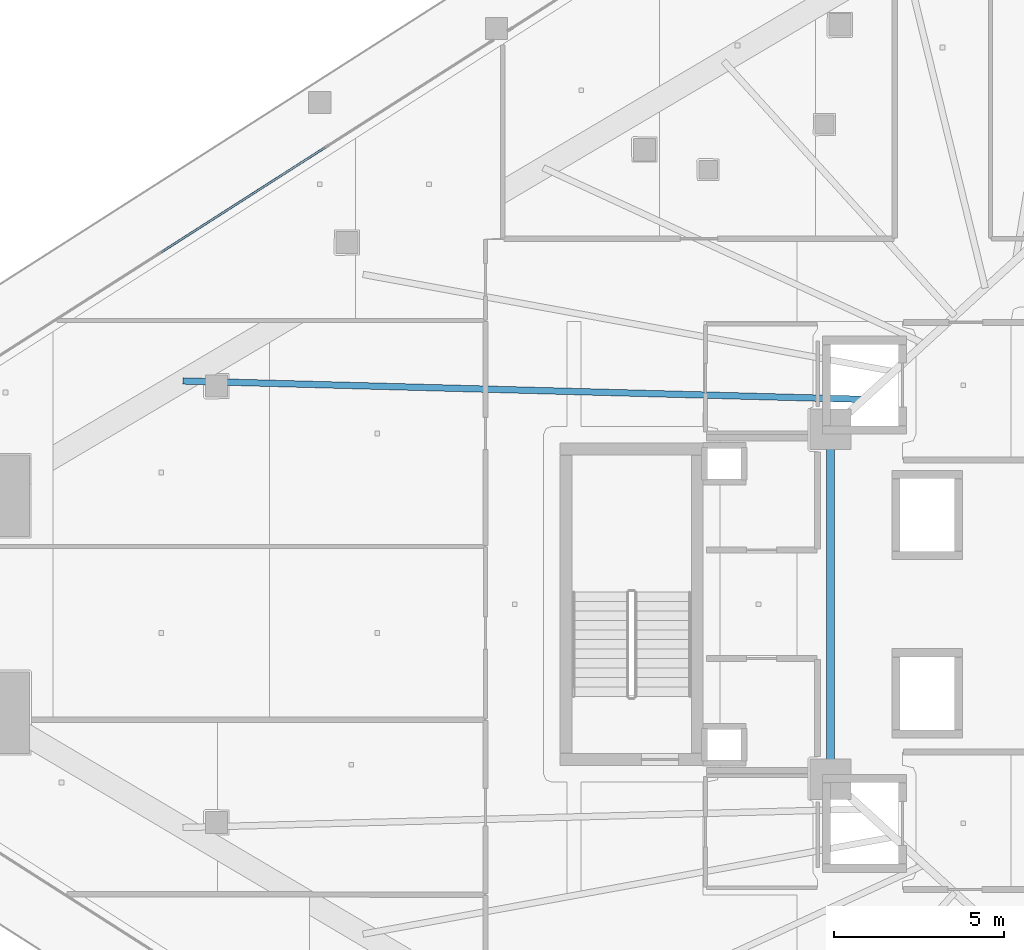
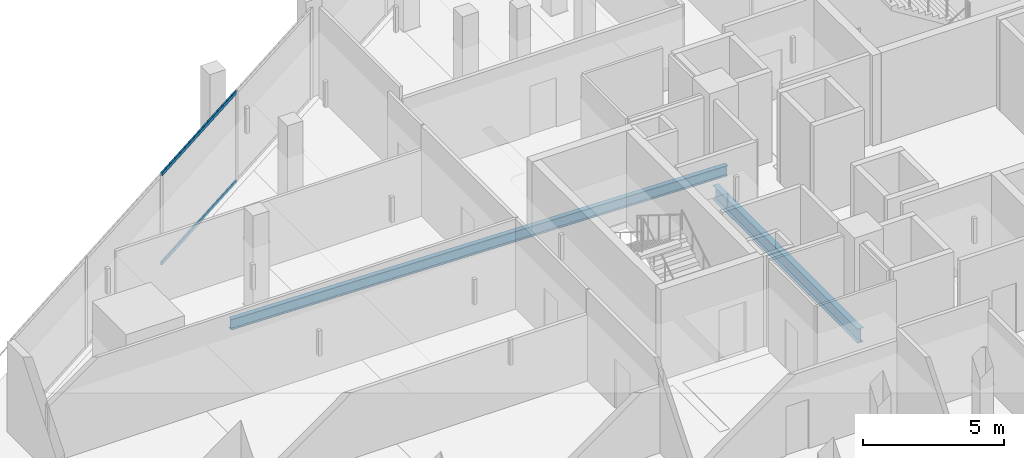
# One storey, part 13 of 44: 2 beams, 2 members, 1 element without a shape of its own.
"""IFC4 building model written with IfcOpenShell, lengths in metres."""

from ifc_helpers import new_model, si_unit, direction, frame, origin, origin_2d, place, context, subcontext, project, spatial, hollow_rectangle, i_section, extrude, material, layer, layer_set, material_profile, profile_set, type_object, element, aggregate, save


model = new_model("IFC4")

# Units and contexts
model_context = context("Model", 3, precision=1e-05, world=origin(), true_north=direction((0.0, 1.0)))
body_context = subcontext(model_context, "Body", "Model", "MODEL_VIEW")
ifc_project = project(units=[si_unit("LENGTHUNIT", "METRE"), si_unit("AREAUNIT", "SQUARE_METRE"), si_unit("VOLUMEUNIT", "CUBIC_METRE"), si_unit("PLANEANGLEUNIT", "RADIAN"), si_unit("MASSUNIT", "GRAM", prefix="KILO")], contexts=[model_context])

# Site, building, storey
site_placement = place(None, origin())
site = spatial("IfcSite", under=ifc_project, at=site_placement, CompositionType="ELEMENT")
building_placement = place(site_placement, origin())
building = spatial("IfcBuilding", under=site, at=building_placement, Name="Qorvath Tower", CompositionType="ELEMENT")
storey_placement = place(building_placement, frame((0.0, 0.0, 57.60009765625)))
storey = spatial("IfcBuildingStorey", under=building, at=storey_placement, Name="L12", CompositionType="ELEMENT", Elevation=57.60009765625)

# Beams
ifc_material_1 = material(Name="Steel ASTM A992 Grade 50", Category="steel")
ifc_material_profile_1 = material_profile(ifc_material_1, i_section(OverallWidth=0.22998046875, OverallDepth=0.616943359375, WebThickness=0.01318359375, FlangeThickness=0.022216796875, FilletRadius=0.014892578125, at=origin_2d()), Name="W24x94")
ifc_profile_set_1 = profile_set([ifc_material_profile_1], Name="Steel ASTM A992 Grade 50")
beam_type_1 = type_object("IfcBeamType", Name="BM-FG6", PredefinedType="BEAM", material=ifc_profile_set_1)
beam_1_placement = place(storey_placement, frame((-30.5, -5.14990234375, -0.58837890625), z_axis=(0.0, 1.0, 0.0), x_axis=(-1.0, 0.0, 0.0)))
element("IfcBeam", 1, at=beam_1_placement, inside=storey, type_object=beam_type_1, Name="Core Ring Girder CC6-CC5 L12", PredefinedType="BEAM", context=body_context, shape_type="SweptSolid", body=[
    extrude(i_section(OverallWidth=0.22998046875, OverallDepth=0.616943359375, WebThickness=0.01318359375, FlangeThickness=0.022216796875, FilletRadius=0.014892578125, at=origin_2d()), origin(), (0.0, 0.0, 1.0), 10.2998046875),
])
ifc_material_2 = material(Name="Steel ASTM A992 Grade 50", Category="steel")
ifc_material_profile_2 = material_profile(ifc_material_2, i_section(OverallWidth=0.18994140625, OverallDepth=0.45703125, WebThickness=0.009033203125, FlangeThickness=0.014404296875, FilletRadius=0.011962890625, at=origin_2d()), Name="W18x50")
ifc_profile_set_2 = profile_set([ifc_material_profile_2], Name="Steel ASTM A992 Grade 50")
beam_type_2 = type_object("IfcBeamType", Name="BM-FJ2", PredefinedType="JOIST", material=ifc_profile_set_2)
beam_2_placement = place(storey_placement, frame((-29.533935546875, 6.031982421875, -0.508544921875), z_axis=(-0.999634925413, 0.02701880631, 0.0), x_axis=(-0.02701880631, -0.999634925413, 0.0)))
element("IfcBeam", 2, at=beam_2_placement, inside=storey, type_object=beam_type_2, Name="Composite Floor Joist NW1 L12", PredefinedType="JOIST", context=body_context, shape_type="SweptSolid", body=[
    extrude(i_section(OverallWidth=0.18994140625, OverallDepth=0.45703125, WebThickness=0.009033203125, FlangeThickness=0.014404296875, FilletRadius=0.011962890625, at=origin_2d()), origin(), (0.0, 0.0, 1.0), 20.041748046875),
])

# Curtain wall, members
ifc_material_3 = material(Name="Anodised aluminium and triple low-E glass", Category="aluminium")
ifc_layer = layer(ifc_material_3, 0.179931640625)
ifc_layer_set = layer_set([ifc_layer], Name="CW-SYS-2")
curtain_wall_type = type_object("IfcCurtainWallType", Name="CW-SYS-2", PredefinedType="NOTDEFINED", material=ifc_layer_set)
curtain_wall_placement = place(storey_placement, origin())
curtain_wall = element("IfcCurtainWall", 3, at=curtain_wall_placement, inside=storey, type_object=curtain_wall_type, Name="Curtain Wall CW-2 CW-T-L12-16.3", PredefinedType="NOTDEFINED")
ifc_material_4 = material(Name="Anodised aluminium 6063-T6", Category="aluminium")
ifc_material_profile_3 = material_profile(ifc_material_4, hollow_rectangle(XDim=0.06494140625, YDim=0.159912109375, WallThickness=0.00341796875, InnerFilletRadius=0.00341796875, OuterFilletRadius=0.007080078125, at=origin_2d()), Name="CWT 160x65")
ifc_profile_set_3 = profile_set([ifc_material_profile_3], Name="Anodised aluminium 6063-T6")
member_type = type_object("IfcMemberType", Name="CWT-160", PredefinedType="USERDEFINED", material=ifc_profile_set_3)
member_1_placement = place(storey_placement, frame((-45.3779296875, 13.447509765625, 0.032470703125), z_axis=(-0.842607101895, -0.538528803163, 0.0), x_axis=(0.538528803163, -0.842607101895, 0.0)))
member_1 = element("IfcMember", 4, at=member_1_placement, type_object=member_type, Name="CW-2 transom 2.1", ObjectType="TRANSOM", PredefinedType="USERDEFINED", context=body_context, shape_type="SweptSolid", body=[
    extrude(hollow_rectangle(XDim=0.06494140625, YDim=0.159912109375, WallThickness=0.00341796875, InnerFilletRadius=0.00341796875, OuterFilletRadius=0.007080078125, at=origin_2d()), origin(), (0.0, 0.0, 1.0), 5.7294921875),
])
member_2_placement = place(storey_placement, frame((-45.3779296875, 13.447509765625, 3.887451171875), z_axis=(-0.842607101895, -0.538528803163, 0.0), x_axis=(0.538528803163, -0.842607101895, 0.0)))
member_2 = element("IfcMember", 5, at=member_2_placement, type_object=member_type, Name="CW-2 transom 2.2", ObjectType="TRANSOM", PredefinedType="USERDEFINED", context=body_context, shape_type="SweptSolid", body=[
    extrude(hollow_rectangle(XDim=0.06494140625, YDim=0.159912109375, WallThickness=0.00341796875, InnerFilletRadius=0.00341796875, OuterFilletRadius=0.007080078125, at=origin_2d()), origin(), (0.0, 0.0, 1.0), 5.7294921875),
])
aggregate(curtain_wall, [member_1, member_2])

save(model, "model.ifc")
